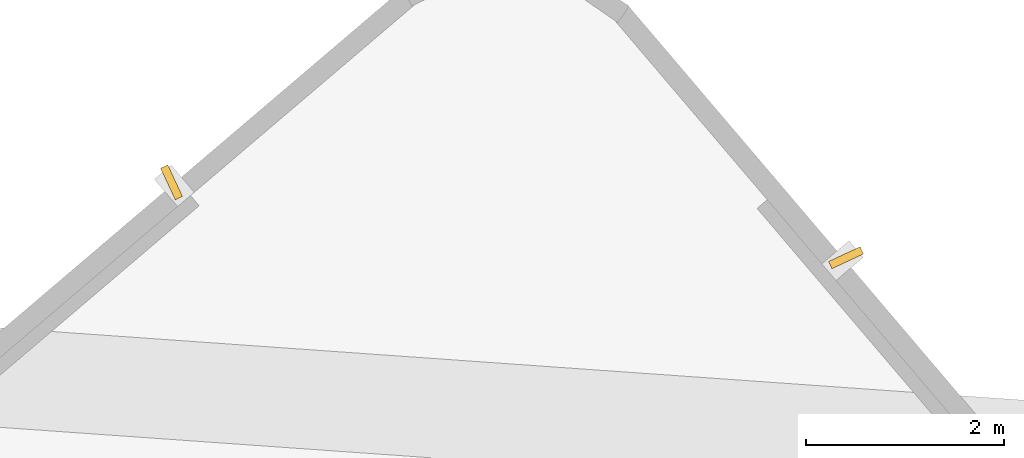
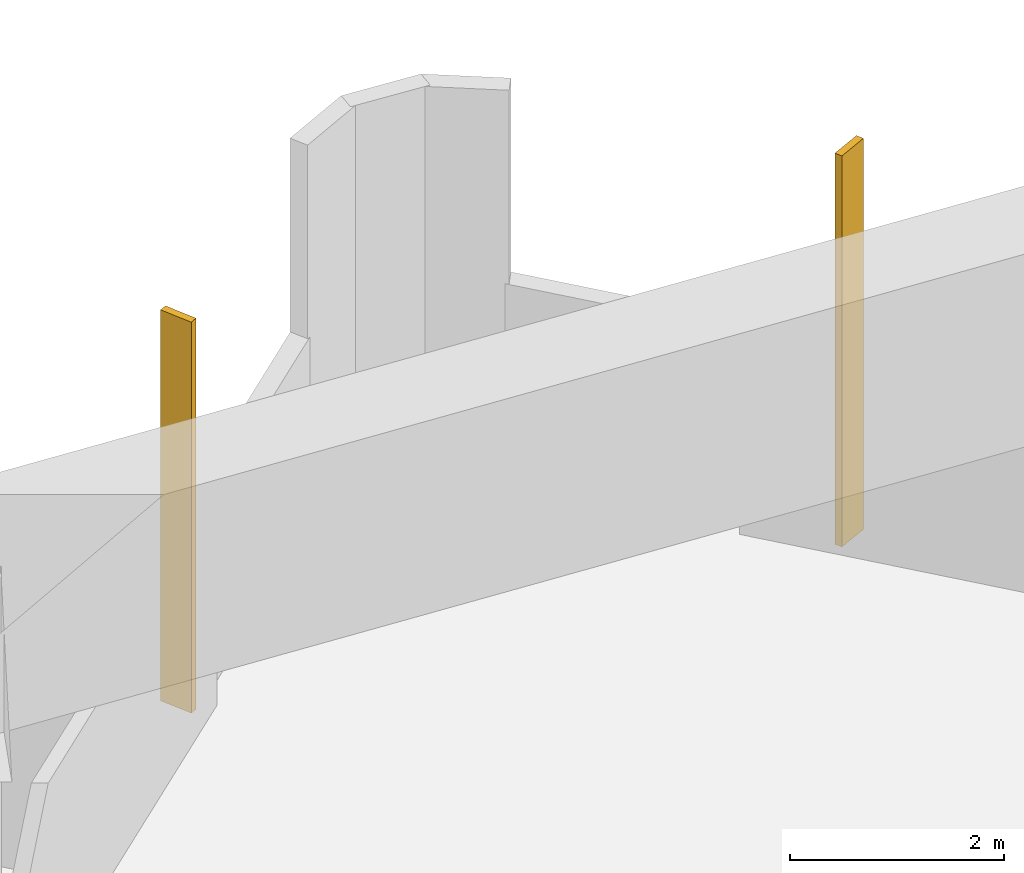
# One storey, part 6 of 7: 2 shading devices.
"""IFC4 building model written with IfcOpenShell, lengths in metres."""

import ifcopenshell
import ifcopenshell.guid

model = None  # the IFC model being written
_history = None  # IfcOwnerHistory: only IFC2X3 demands one
_inside = {}  # id of a spatial element -> (the spatial element, [elements in it])
_under = {}  # id of a project, library or spatial element -> (it, [spatial elements below it])
_declared = {}  # id of a project -> (the project, [libraries it declares])
_typed = {}  # id of a type object -> (the type object, [elements of that type])
_made_of = {}  # id of a material, layer set ... -> (it, [elements and type objects made of it])


def new_model(schema):
    """Start an empty IFC model of exactly this schema.

    Asked for "IFC4X3", IfcOpenShell would pick the latest addendum, in which some entities
    have other attributes; the version numbers below select the first issue.
    IFC2X3 requires an IfcOwnerHistory on every rooted entity: one is made here for all.
    """
    global model, _history
    if schema == "IFC4X3":
        model = ifcopenshell.file(schema_version=(4, 3, 0, 0))
    else:
        model = ifcopenshell.file(schema=schema)
    _inside.clear()
    _under.clear()
    _declared.clear()
    _typed.clear()
    _made_of.clear()
    _history = None
    if model.schema == "IFC2X3":
        org = make("IfcOrganization", Name="unknown")
        user = make(
            "IfcPersonAndOrganization",
            ThePerson=make("IfcPerson", FamilyName="unknown"),
            TheOrganization=org,
        )
        app = make(
            "IfcApplication",
            ApplicationDeveloper=org,
            Version="unknown",
            ApplicationFullName="unknown",
            ApplicationIdentifier="unknown",
        )
        _history = make(
            "IfcOwnerHistory",
            OwningUser=user,
            OwningApplication=app,
            ChangeAction="ADDED",
            CreationDate=0,
        )
    return model


def make(cls, **values):
    """One entity of the class cls with the attributes given. An attribute that is None is left unset."""
    return model.create_entity(
        cls, **{name: value for name, value in values.items() if value is not None}
    )


def rooted(cls, **values):
    """An entity with a GlobalId (a new one), such as an element, a storey or a relation."""
    return make(cls, GlobalId=ifcopenshell.guid.new(), OwnerHistory=_history, **values)


def si_unit(unit_type, name, prefix=None):
    """IfcSIUnit, for example si_unit("LENGTHUNIT", "METRE", prefix="MILLI")."""
    return make("IfcSIUnit", UnitType=unit_type, Prefix=prefix, Name=name)


def assignment(units):
    """IfcUnitAssignment: the units of a project."""
    return None if units is None else make("IfcUnitAssignment", Units=units)


def point(xyz):
    """IfcCartesianPoint."""
    return None if xyz is None else make("IfcCartesianPoint", Coordinates=xyz)


def direction(xyz):
    """IfcDirection."""
    return None if xyz is None else make("IfcDirection", DirectionRatios=xyz)


def frame(location, z_axis=None, x_axis=None):
    """IfcAxis2Placement3D, a coordinate frame: its origin and axes. An axis left out is left unset."""
    return make(
        "IfcAxis2Placement3D",
        Location=point(location),
        Axis=direction(z_axis),
        RefDirection=direction(x_axis),
    )


def frame_2d(location, x_axis=None):
    """IfcAxis2Placement2D, a coordinate frame in the plane: its origin and x axis."""
    return make(
        "IfcAxis2Placement2D", Location=point(location), RefDirection=direction(x_axis)
    )


def origin():
    """The frame at (0, 0, 0) with its axes left unset."""
    return frame((0.0, 0.0, 0.0))


def origin_2d():
    """The frame at (0, 0) in the plane with its x axis left unset."""
    return frame_2d((0.0, 0.0))


def place(relative_to, where):
    """IfcLocalPlacement: puts the frame where relative to a parent placement (None: the world)."""
    return make(
        "IfcLocalPlacement", PlacementRelTo=relative_to, RelativePlacement=where
    )


def context(
    kind, dimensions, precision=None, world=None, true_north=None, identifier=None
):
    """IfcGeometricRepresentationContext, for example the 3D "Model" context."""
    return make(
        "IfcGeometricRepresentationContext",
        ContextIdentifier=identifier,
        ContextType=kind,
        CoordinateSpaceDimension=dimensions,
        Precision=precision,
        WorldCoordinateSystem=world,
        TrueNorth=true_north,
    )


def subcontext(parent, identifier, kind, view, scale=None):
    """IfcGeometricRepresentationSubContext, for example "Body" below "Model"."""
    return make(
        "IfcGeometricRepresentationSubContext",
        ContextIdentifier=identifier,
        ContextType=kind,
        ParentContext=parent,
        TargetScale=scale,
        TargetView=view,
    )


def project(units=None, contexts=None):
    """IfcProject with its units and contexts."""
    return rooted(
        "IfcProject",
        Name="project",
        RepresentationContexts=contexts,
        UnitsInContext=assignment(units),
    )


def spatial(cls, under=None, at=None, **own):
    """A site, building, storey or space (cls), placed at a placement, below another one or the project."""
    s = rooted(cls, ObjectPlacement=at, **own)
    if under is not None:
        _under.setdefault(under.id(), (under, []))[1].append(s)
    return s


def profile(cls, at=None, kind="AREA", **sizes):
    """A parametric profile (cls). Its sizes go by their IFC names, for example OverallWidth=200.0."""
    return make(cls, ProfileType=kind, Position=at, **sizes)


def rectangle(**sizes):
    """IfcRectangleProfileDef."""
    return profile("IfcRectangleProfileDef", **sizes)


def extrude(swept, where, along, depth):
    """IfcExtrudedAreaSolid: the profile swept, set in the frame where, extruded along a direction by depth."""
    return make(
        "IfcExtrudedAreaSolid",
        SweptArea=swept,
        Position=where,
        ExtrudedDirection=direction(along),
        Depth=depth,
    )


def shape(context_of_items, identifier, shape_type, items):
    """IfcShapeRepresentation: the items that make up one representation, for example the "Body"."""
    return make(
        "IfcShapeRepresentation",
        ContextOfItems=context_of_items,
        RepresentationIdentifier=identifier,
        RepresentationType=shape_type,
        Items=items,
    )


def material(Name=None, Category=None):
    """IfcMaterial."""
    return make("IfcMaterial", Name=Name, Category=Category)


def layer(
    of_material, thickness, ventilated=None, Name=None, Category=None, Priority=None
):
    """IfcMaterialLayer: one layer of a wall or slab, of a material (None: an air gap)."""
    return make(
        "IfcMaterialLayer",
        Material=of_material,
        LayerThickness=thickness,
        IsVentilated=ventilated,
        Name=Name,
        Category=Category,
        Priority=Priority,
    )


def layer_set(layers, Name=None):
    """IfcMaterialLayerSet."""
    return make("IfcMaterialLayerSet", MaterialLayers=layers, LayerSetName=Name)


def made_of(thing, what):
    """Note that an element or type object is made of a material, layer set ...; save() writes the relation."""
    if what is not None:
        _made_of.setdefault(what.id(), (what, []))[1].append(thing)
    return thing


def type_object(cls, material=None, **own):
    """A type object (cls), such as IfcWallType, which elements share."""
    return made_of(rooted(cls, **own), material)


def element(
    cls,
    number,
    at=None,
    inside=None,
    cuts=None,
    type_object=None,
    material=None,
    context=None,
    identifier="Body",
    shape_type=None,
    held_by="IfcProductDefinitionShape",
    body=None,
    shapes=None,
    **own,
):
    """One element of the class cls, such as IfcWall. Its Tag is "e" and its number.

    at: its placement. inside: the storey or other place that contains it. cuts: it is an
    opening in that element (IfcRelVoidsElement). A single representation is given by context,
    identifier, shape_type and body (its items); several are given by shapes. held_by: the class
    of the entity that holds the representations. save() writes the other relations.
    """
    e = rooted(cls, Tag="e%d" % number, ObjectPlacement=at, **own)
    if body is not None:
        shapes = [shape(context, identifier, shape_type, body)]
    if shapes is not None:
        e.Representation = make(held_by, Representations=shapes)
    if inside is not None:
        _inside.setdefault(inside.id(), (inside, []))[1].append(e)
    if cuts is not None:
        rooted(
            "IfcRelVoidsElement", RelatingBuildingElement=cuts, RelatedOpeningElement=e
        )
    if type_object is not None:
        _typed.setdefault(type_object.id(), (type_object, []))[1].append(e)
    return made_of(e, material)


def aggregate(whole, parts):
    """IfcRelAggregates: a whole, such as a stair, and the parts it consists of."""
    return rooted("IfcRelAggregates", RelatingObject=whole, RelatedObjects=parts)


def save(model, path):
    """Write the relations noted so far, then the file.

    IfcRelAggregates (storeys below a building ...), IfcRelContainedInSpatialStructure (elements
    in a storey), IfcRelDefinesByType, IfcRelAssociatesMaterial and IfcRelDeclares: one each for
    every whole, place, type object, material and project.
    """
    for whole, parts in _under.values():
        aggregate(whole, parts)
    for where, things in _inside.values():
        rooted(
            "IfcRelContainedInSpatialStructure",
            RelatedElements=things,
            RelatingStructure=where,
        )
    for kind, things in _typed.values():
        rooted("IfcRelDefinesByType", RelatedObjects=things, RelatingType=kind)
    for what, things in _made_of.values():
        rooted("IfcRelAssociatesMaterial", RelatedObjects=things, RelatingMaterial=what)
    for by, libraries in _declared.values():
        rooted("IfcRelDeclares", RelatingContext=by, RelatedDefinitions=libraries)
    model.write(path)


model = new_model("IFC4")

# Units and contexts
model_context = context("Model", 3, precision=1e-05, world=origin(), true_north=direction((0.0, 1.0)))
body_context = subcontext(model_context, "Body", "Model", "MODEL_VIEW")
ifc_project = project(units=[si_unit("LENGTHUNIT", "METRE"), si_unit("AREAUNIT", "SQUARE_METRE"), si_unit("VOLUMEUNIT", "CUBIC_METRE"), si_unit("PLANEANGLEUNIT", "RADIAN"), si_unit("MASSUNIT", "GRAM", prefix="KILO")], contexts=[model_context])

# Site, building, storey
site_placement = place(None, origin())
site = spatial("IfcSite", under=ifc_project, at=site_placement, CompositionType="ELEMENT")
building_placement = place(site_placement, origin())
building = spatial("IfcBuilding", under=site, at=building_placement, Name="Solmarez Civic Tower", CompositionType="ELEMENT")
storey_placement = place(building_placement, frame((0.0, 0.0, 239.39990234375)))
storey = spatial("IfcBuildingStorey", under=building, at=storey_placement, Name="L64", CompositionType="ELEMENT", Elevation=239.39990234375)

# Shading devices
ifc_material = material(Name="Bronze Anodised Aluminium EN AW-6063 T6", Category="aluminium")
ifc_layer = layer(ifc_material, 0.080078125)
ifc_layer_set = layer_set([ifc_layer], Name="Bronze Anodised Aluminium EN AW-6063 T6")
shading_device_type = type_object("IfcShadingDeviceType", Name="LOUVRE-PLANT-1", PredefinedType="USERDEFINED", material=ifc_layer_set)
for number, where, z_axis, x_axis, name in (
    (1, (-1.9140625, 17.510009765625, -0.039794921875), (0.0, 0.0, 1.0), (-0.422602443621, 0.906315162979, 0.0), "L64 Acoustic Plant Louvre LVR-L64-04"),
    (2, (4.884033203125, 16.75, -0.039794921875), (0.0, 0.0, 1.0), (0.906322538645, 0.422586625373, 0.0), "L64 Acoustic Plant Louvre LVR-L64-05"),
):
    element("IfcShadingDevice", number, at=place(storey_placement, frame(where, z_axis=z_axis, x_axis=x_axis)), inside=storey, type_object=shading_device_type, Name=name, ObjectType="LOUVRE", PredefinedType="USERDEFINED", context=body_context, shape_type="SweptSolid", body=[
        extrude(rectangle(XDim=0.35009765625, YDim=0.080078125, at=origin_2d()), origin(), (0.0, 0.0, 1.0), 4.4599609375),
    ])

save(model, "model.ifc")
